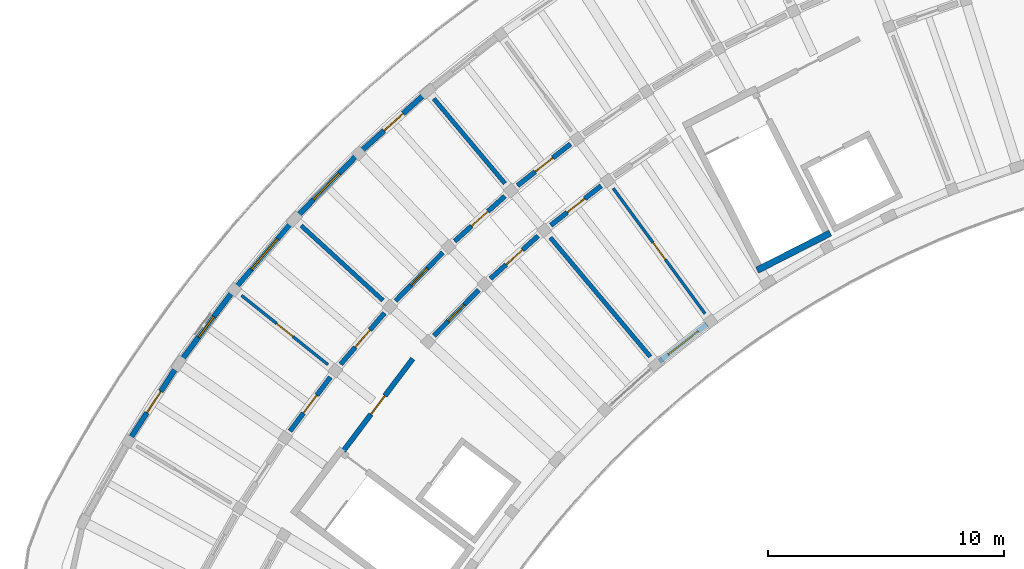
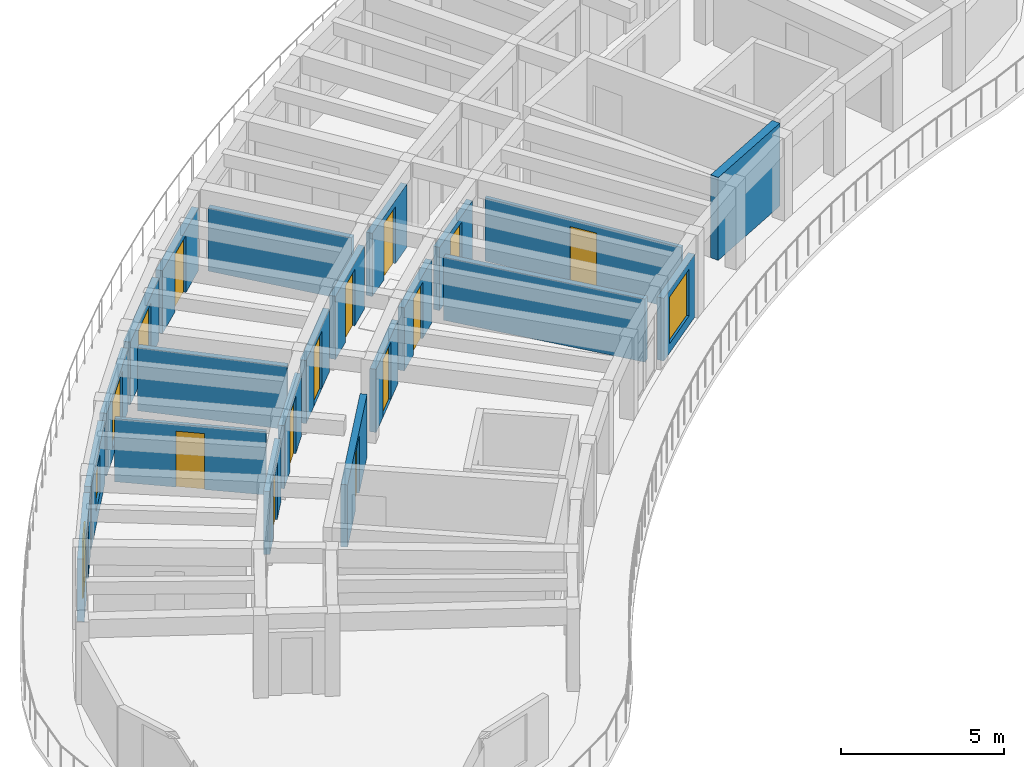
# One storey, part 5 of 9: 21 walls, 13 doors, 4 windows, 17 openings.
"""IFC4 building model written with IfcOpenShell, lengths in metres."""

from ifc_helpers import new_model, si_unit, direction, frame, frame_2d, origin, place, context, subcontext, project, spatial, rectangle, extrude, material, layer, layer_set, type_object, element, fill, save


model = new_model("IFC4")

# Units and contexts
model_context = context("Model", 3, precision=1e-05, world=origin(), true_north=direction((0.0, 1.0)))
body_context = subcontext(model_context, "Body", "Model", "MODEL_VIEW")
ifc_project = project(units=[si_unit("LENGTHUNIT", "METRE"), si_unit("AREAUNIT", "SQUARE_METRE"), si_unit("VOLUMEUNIT", "CUBIC_METRE"), si_unit("PLANEANGLEUNIT", "RADIAN"), si_unit("MASSUNIT", "GRAM", prefix="KILO")], contexts=[model_context])

# Site, building, storey
site_placement = place(None, origin())
site = spatial("IfcSite", under=ifc_project, at=site_placement, CompositionType="ELEMENT")
building_placement = place(site_placement, origin())
building = spatial("IfcBuilding", under=site, at=building_placement, Name="Tanwirah Colonnade Gardens", CompositionType="ELEMENT")
storey_placement = place(building_placement, frame((0.0, 0.0, 49.159912109375)))
storey = spatial("IfcBuildingStorey", under=building, at=storey_placement, Name="L14", CompositionType="ELEMENT", Elevation=49.159912109375)

# Wall, opening, window
ifc_material_1 = material(Name="Limestone architectural precast concrete C40/50", Category="masonry")
ifc_layer_1 = layer(ifc_material_1, 0.22509765625)
ifc_layer_set_1 = layer_set([ifc_layer_1], Name="Limestone architectural precast concrete C40/50")
wall_type_1 = type_object("IfcWallType", Name="EW-PC225", PredefinedType="SOLIDWALL", material=ifc_layer_set_1)
wall_1_placement = place(storey_placement, frame((38.576416015625, 95.935791015625, 0.0), z_axis=(0.0, 0.0, 1.0), x_axis=(-0.786839825132, -0.617157264874, 0.0)))
wall_1 = element("IfcWall", 1, at=wall_1_placement, inside=storey, type_object=wall_type_1, Name="Block A L14 IN Precast Facade Wall 8", PredefinedType="SOLIDWALL", context=body_context, shape_type="SweptSolid", body=[
    extrude(rectangle(XDim=2.5654296875, YDim=0.22509765625, at=frame_2d((1.28271484375, 0.0))), origin(), (0.0, 0.0, 1.0), 2.35498046875),
])
opening_1_placement = place(wall_1_placement, frame((0.482666015625, 0.0, 0.35009765625)))
opening_1 = element("IfcOpeningElement", 2, at=opening_1_placement, cuts=wall_1, Name="Opening WIN-T10", PredefinedType="OPENING", context=body_context, shape_type="SweptSolid", body=[
    extrude(rectangle(XDim=1.60009765625, YDim=1.75, at=frame_2d((0.800048828125, 0.875))), frame((0.0, 0.12255859375, 0.0), z_axis=(0.0, -1.0, 0.0), x_axis=(1.0, 0.0, 0.0)), (0.0, 0.0, 1.0), 0.2451171875),
])
ifc_material_2 = material(Name="Thermally broken bronze aluminium and solar low-E double glazing", Category="aluminium")
window_type_1 = type_object("IfcWindowType", Name="WIN-T10", PartitioningType="DOUBLE_PANEL_VERTICAL", PredefinedType="WINDOW", material=ifc_material_2)
window_1_placement = place(opening_1_placement, origin())
window_1 = element("IfcWindow", 3, at=window_1_placement, inside=storey, type_object=window_type_1, Name="Facade window A-L14-IN-08", OverallHeight=1.75, OverallWidth=1.60009765625, PartitioningType="SINGLE_PANEL", PredefinedType="WINDOW", context=body_context, shape_type="SweptSolid", body=[
    extrude(rectangle(XDim=1.60009765625, YDim=1.75, at=frame_2d((0.800048828125, 0.875))), frame((0.0, 0.030029296875, 0.0), z_axis=(0.0, -1.0, 0.0), x_axis=(1.0, 0.0, 0.0)), (0.0, 0.0, 1.0), 0.06005859375),
])
fill(opening_1, window_1)

# Wall, opening, door
wall_2_placement = place(storey_placement, frame((26.59912109375, 105.707763671875, 0.0), z_axis=(0.0, 0.0, 1.0), x_axis=(-0.744428403578, -0.667702292902, 0.0)))
wall_2 = element("IfcWall", 4, at=wall_2_placement, inside=storey, type_object=wall_type_1, Name="Block A L14 OUT Precast Facade Wall 9", PredefinedType="SOLIDWALL", context=body_context, shape_type="SweptSolid", body=[
    extrude(rectangle(XDim=3.560546875, YDim=0.22509765625, at=frame_2d((1.7802734375, 0.0))), origin(), (0.0, 0.0, 1.0), 2.35498046875),
])
opening_2_placement = place(wall_2_placement, frame((1.240478515625, 0.0, 0.0)))
opening_2 = element("IfcOpeningElement", 5, at=opening_2_placement, cuts=wall_2, Name="Opening L14-ED066", PredefinedType="OPENING", context=body_context, shape_type="SweptSolid", body=[
    extrude(rectangle(XDim=1.080078125, YDim=2.14990234375, at=frame_2d((0.5400390625, 1.074951171875))), frame((0.0, 0.12255859375, 0.0), z_axis=(0.0, -1.0, 0.0), x_axis=(1.0, 0.0, 0.0)), (0.0, 0.0, 1.0), 0.2451171875),
])
ifc_material_3 = material(Name="Bronze aluminium glazed balcony door", Category="aluminium")
door_type_1 = type_object("IfcDoorType", Name="ED-BAL108", OperationType="NOTDEFINED", PredefinedType="DOOR", material=ifc_material_3)
door_1_placement = place(opening_2_placement, origin())
door_1 = element("IfcDoor", 6, at=door_1_placement, inside=storey, type_object=door_type_1, Name="Balcony glazed door L14-ED066", OperationType="SINGLE_SWING_RIGHT", OverallHeight=2.14990234375, OverallWidth=1.080078125, PredefinedType="DOOR", context=body_context, shape_type="SweptSolid", body=[
    extrude(rectangle(XDim=1.080078125, YDim=2.14990234375, at=frame_2d((0.5400390625, 1.074951171875))), frame((0.0, 0.02490234375, 0.0), z_axis=(0.0, -1.0, 0.0), x_axis=(1.0, 0.0, 0.0)), (0.0, 0.0, 1.0), 0.050048828125),
])
fill(opening_2, door_1)

# Wall, opening, window
wall_3_placement = place(storey_placement, frame((23.65966796875, 103.0537109375, 0.0), z_axis=(0.0, 0.0, 1.0), x_axis=(-0.698830915019, -0.715286902029, 0.0)))
wall_3 = element("IfcWall", 7, at=wall_3_placement, inside=storey, type_object=wall_type_1, Name="Block A L14 OUT Precast Facade Wall 10", PredefinedType="SOLIDWALL", context=body_context, shape_type="SweptSolid", body=[
    extrude(rectangle(XDim=3.560546875, YDim=0.22509765625, at=frame_2d((1.7802734375, 0.0))), origin(), (0.0, 0.0, 1.0), 2.35498046875),
])
opening_3_placement = place(wall_3_placement, frame((1.00537109375, 0.0, 0.35009765625)))
opening_3 = element("IfcOpeningElement", 8, at=opening_3_placement, cuts=wall_3, Name="Opening WIN-T09", PredefinedType="OPENING", context=body_context, shape_type="SweptSolid", body=[
    extrude(rectangle(XDim=1.550048828125, YDim=1.75, at=frame_2d((0.77490234375, 0.875))), frame((0.0, 0.12255859375, 0.0), z_axis=(0.0, -1.0, 0.0), x_axis=(1.0, 0.0, 0.0)), (0.0, 0.0, 1.0), 0.2451171875),
])
window_type_2 = type_object("IfcWindowType", Name="WIN-T09", PartitioningType="DOUBLE_PANEL_VERTICAL", PredefinedType="WINDOW", material=ifc_material_2)
window_2_placement = place(opening_3_placement, origin())
window_2 = element("IfcWindow", 9, at=window_2_placement, inside=storey, type_object=window_type_2, Name="Facade window A-L14-OUT-10", OverallHeight=1.75, OverallWidth=1.550048828125, PartitioningType="SINGLE_PANEL", PredefinedType="WINDOW", context=body_context, shape_type="SweptSolid", body=[
    extrude(rectangle(XDim=1.550048828125, YDim=1.75, at=frame_2d((0.77490234375, 0.875))), frame((0.0, 0.030029296875, 0.0), z_axis=(0.0, -1.0, 0.0), x_axis=(1.0, 0.0, 0.0)), (0.0, 0.0, 1.0), 0.06005859375),
])
fill(opening_3, window_2)

wall_4_placement = place(storey_placement, frame((20.948974609375, 100.263427734375, 0.0), z_axis=(0.0, 0.0, 1.0), x_axis=(-0.650198292739, -0.759764555714, 0.0)))
wall_4 = element("IfcWall", 10, at=wall_4_placement, inside=storey, type_object=wall_type_1, Name="Block A L14 OUT Precast Facade Wall 11", PredefinedType="SOLIDWALL", context=body_context, shape_type="SweptSolid", body=[
    extrude(rectangle(XDim=3.560791015625, YDim=0.22509765625, at=frame_2d((1.7802734375, 0.0))), origin(), (0.0, 0.0, 1.0), 2.35498046875),
])
opening_4_placement = place(wall_4_placement, frame((0.930419921875, 0.0, 0.35009765625)))
opening_4 = element("IfcOpeningElement", 11, at=opening_4_placement, cuts=wall_4, Name="Opening WIN-T12", PredefinedType="OPENING", context=body_context, shape_type="SweptSolid", body=[
    extrude(rectangle(XDim=1.699951171875, YDim=1.800048828125, at=frame_2d((0.85009765625, 0.89990234375))), frame((0.0, 0.12255859375, 0.0), z_axis=(0.0, -1.0, 0.0), x_axis=(1.0, 0.0, 0.0)), (0.0, 0.0, 1.0), 0.2451171875),
])
window_type_3 = type_object("IfcWindowType", Name="WIN-T12", PartitioningType="TRIPLE_PANEL_VERTICAL", PredefinedType="WINDOW", material=ifc_material_2)
window_3_placement = place(opening_4_placement, origin())
window_3 = element("IfcWindow", 12, at=window_3_placement, inside=storey, type_object=window_type_3, Name="Facade window A-L14-OUT-11", OverallHeight=1.800048828125, OverallWidth=1.699951171875, PartitioningType="SINGLE_PANEL", PredefinedType="WINDOW", context=body_context, shape_type="SweptSolid", body=[
    extrude(rectangle(XDim=1.699951171875, YDim=1.800048828125, at=frame_2d((0.85009765625, 0.89990234375))), frame((0.0, 0.030029296875, 0.0), z_axis=(0.0, -1.0, 0.0), x_axis=(1.0, 0.0, 0.0)), (0.0, 0.0, 1.0), 0.06005859375),
])
fill(opening_4, window_3)

wall_5_placement = place(storey_placement, frame((18.384033203125, 97.245849609375, 0.0), z_axis=(0.0, 0.0, 1.0), x_axis=(-0.598737598815, -0.800945246422, 0.0)))
wall_5 = element("IfcWall", 13, at=wall_5_placement, inside=storey, type_object=wall_type_1, Name="Block A L14 OUT Precast Facade Wall 12", PredefinedType="SOLIDWALL", context=body_context, shape_type="SweptSolid", body=[
    extrude(rectangle(XDim=3.560546875, YDim=0.22509765625, at=frame_2d((1.7802734375, 0.0))), origin(), (0.0, 0.0, 1.0), 2.35498046875),
])
opening_5_placement = place(wall_5_placement, frame((1.240234375, 0.0, 0.550048828125)))
opening_5 = element("IfcOpeningElement", 14, at=opening_5_placement, cuts=wall_5, Name="Opening WIN-T15", PredefinedType="OPENING", context=body_context, shape_type="SweptSolid", body=[
    extrude(rectangle(XDim=1.080078125, YDim=1.449951171875, at=frame_2d((0.5400390625, 0.72509765625))), frame((0.0, 0.12255859375, 0.0), z_axis=(0.0, -1.0, 0.0), x_axis=(1.0, 0.0, 0.0)), (0.0, 0.0, 1.0), 0.2451171875),
])
window_type_4 = type_object("IfcWindowType", Name="WIN-T15", PartitioningType="SINGLE_PANEL", PredefinedType="WINDOW", material=ifc_material_2)
window_4_placement = place(opening_5_placement, origin())
window_4 = element("IfcWindow", 15, at=window_4_placement, inside=storey, type_object=window_type_4, Name="Facade window A-L14-OUT-12", OverallHeight=1.449951171875, OverallWidth=1.080078125, PartitioningType="SINGLE_PANEL", PredefinedType="WINDOW", context=body_context, shape_type="SweptSolid", body=[
    extrude(rectangle(XDim=1.080078125, YDim=1.449951171875, at=frame_2d((0.5400390625, 0.72509765625))), frame((0.0, 0.030029296875, 0.0), z_axis=(0.0, -1.0, 0.0), x_axis=(1.0, 0.0, 0.0)), (0.0, 0.0, 1.0), 0.06005859375),
])
fill(opening_5, window_4)

# Wall, opening, door
wall_6_placement = place(storey_placement, frame((16.0634765625, 94.12353515625, 0.0), z_axis=(0.0, 0.0, 1.0), x_axis=(-0.544612332693, -0.838687908032, 0.0)))
wall_6 = element("IfcWall", 16, at=wall_6_placement, inside=storey, type_object=wall_type_1, Name="Block A L14 OUT Precast Facade Wall 13", PredefinedType="SOLIDWALL", context=body_context, shape_type="SweptSolid", body=[
    extrude(rectangle(XDim=3.560791015625, YDim=0.22509765625, at=frame_2d((1.7802734375, 0.0))), origin(), (0.0, 0.0, 1.0), 2.35498046875),
])
opening_6_placement = place(wall_6_placement, frame((1.240234375, 0.0, 0.0)))
opening_6 = element("IfcOpeningElement", 17, at=opening_6_placement, cuts=wall_6, Name="Opening L14-ED067", PredefinedType="OPENING", context=body_context, shape_type="SweptSolid", body=[
    extrude(rectangle(XDim=1.080078125, YDim=2.14990234375, at=frame_2d((0.5400390625, 1.074951171875))), frame((0.0, 0.12255859375, 0.0), z_axis=(0.0, -1.0, 0.0), x_axis=(1.0, 0.0, 0.0)), (0.0, 0.0, 1.0), 0.2451171875),
])
door_2_placement = place(opening_6_placement, origin())
door_2 = element("IfcDoor", 18, at=door_2_placement, inside=storey, type_object=door_type_1, Name="Balcony glazed door L14-ED067", OperationType="SINGLE_SWING_RIGHT", OverallHeight=2.14990234375, OverallWidth=1.080078125, PredefinedType="DOOR", context=body_context, shape_type="SweptSolid", body=[
    extrude(rectangle(XDim=1.080078125, YDim=2.14990234375, at=frame_2d((0.5400390625, 1.074951171875))), frame((0.0, 0.02490234375, 0.0), z_axis=(0.0, -1.0, 0.0), x_axis=(1.0, 0.0, 0.0)), (0.0, 0.0, 1.0), 0.050048828125),
])
fill(opening_6, door_2)

ifc_material_4 = material(Name="Precast concrete C40/50", Category="concrete")
ifc_layer_2 = layer(ifc_material_4, 0.205078125)
ifc_layer_set_2 = layer_set([ifc_layer_2], Name="Precast concrete C40/50")
wall_type_2 = type_object("IfcWallType", Name="IW-CORR205", PredefinedType="PARTITIONING", material=ifc_layer_set_2)
wall_7_placement = place(storey_placement, frame((32.785400390625, 103.587890625, 0.0), z_axis=(0.0, 0.0, 1.0), x_axis=(-0.786806323554, -0.617199975061, 0.0)))
wall_7 = element("IfcWall", 19, at=wall_7_placement, inside=storey, type_object=wall_type_2, Name="Block A L14 OUT Corridor Wall 8", PredefinedType="PARTITIONING", context=body_context, shape_type="SweptSolid", body=[
    extrude(rectangle(XDim=2.863037109375, YDim=0.205078125, at=frame_2d((1.431640625, 0.0))), origin(), (0.0, 0.0, 1.0), 2.3701171875),
])
opening_7_placement = place(wall_7_placement, frame((0.95654296875, 0.0, 0.0)))
opening_7 = element("IfcOpeningElement", 20, at=opening_7_placement, cuts=wall_7, Name="Opening L14-AD777", PredefinedType="OPENING", context=body_context, shape_type="SweptSolid", body=[
    extrude(rectangle(XDim=0.949951171875, YDim=2.1298828125, at=frame_2d((0.47509765625, 1.06494140625))), frame((0.0, 0.112548828125, 0.0), z_axis=(0.0, -1.0, 0.0), x_axis=(1.0, 0.0, 0.0)), (0.0, 0.0, 1.0), 0.22509765625),
])
ifc_material_5 = material(Name="Solid oak fire-resisting apartment entrance door")
door_type_2 = type_object("IfcDoorType", Name="ID-FLT095", OperationType="NOTDEFINED", PredefinedType="DOOR", material=ifc_material_5)
door_3_placement = place(opening_7_placement, origin())
door_3 = element("IfcDoor", 21, at=door_3_placement, inside=storey, type_object=door_type_2, Name="Apartment corridor door L14-AD777", OperationType="SINGLE_SWING_LEFT", OverallHeight=2.1298828125, OverallWidth=0.949951171875, PredefinedType="DOOR", context=body_context, shape_type="SweptSolid", body=[
    extrude(rectangle(XDim=0.949951171875, YDim=2.1298828125, at=frame_2d((0.47509765625, 1.06494140625))), frame((0.0, 0.02490234375, 0.0), z_axis=(0.0, -1.0, 0.0), x_axis=(1.0, 0.0, 0.0)), (0.0, 0.0, 1.0), 0.050048828125),
])
fill(opening_7, door_3)

wall_8_placement = place(storey_placement, frame((34.08544921875, 101.81298828125, 0.0), z_axis=(0.0, 0.0, 1.0), x_axis=(-0.786835457019, -0.617162833924, 0.0)))
wall_8 = element("IfcWall", 22, at=wall_8_placement, inside=storey, type_object=wall_type_2, Name="Block A L14 IN Corridor Wall 8", PredefinedType="PARTITIONING", context=body_context, shape_type="SweptSolid", body=[
    extrude(rectangle(XDim=2.718017578125, YDim=0.205078125, at=frame_2d((1.35888671875, 0.0))), origin(), (0.0, 0.0, 1.0), 2.3701171875),
])
opening_8_placement = place(wall_8_placement, frame((0.884033203125, 0.0, 0.0)))
opening_8 = element("IfcOpeningElement", 23, at=opening_8_placement, cuts=wall_8, Name="Opening L14-AD778", PredefinedType="OPENING", context=body_context, shape_type="SweptSolid", body=[
    extrude(rectangle(XDim=0.949951171875, YDim=2.1298828125, at=frame_2d((0.47509765625, 1.06494140625))), frame((0.0, 0.112548828125, 0.0), z_axis=(0.0, -1.0, 0.0), x_axis=(1.0, 0.0, 0.0)), (0.0, 0.0, 1.0), 0.22509765625),
])
door_4_placement = place(opening_8_placement, origin())
door_4 = element("IfcDoor", 24, at=door_4_placement, inside=storey, type_object=door_type_2, Name="Apartment corridor door L14-AD778", OperationType="SINGLE_SWING_RIGHT", OverallHeight=2.1298828125, OverallWidth=0.949951171875, PredefinedType="DOOR", context=body_context, shape_type="SweptSolid", body=[
    extrude(rectangle(XDim=0.949951171875, YDim=2.1298828125, at=frame_2d((0.47509765625, 1.06494140625))), frame((0.0, 0.02490234375, 0.0), z_axis=(0.0, -1.0, 0.0), x_axis=(1.0, 0.0, 0.0)), (0.0, 0.0, 1.0), 0.050048828125),
])
fill(opening_8, door_4)

wall_9_placement = place(storey_placement, frame((29.996826171875, 101.37109375, 0.0), z_axis=(0.0, 0.0, 1.0), x_axis=(-0.744433521088, -0.667696587291, 0.0)))
wall_9 = element("IfcWall", 25, at=wall_9_placement, inside=storey, type_object=wall_type_2, Name="Block A L14 OUT Corridor Wall 9", PredefinedType="PARTITIONING", context=body_context, shape_type="SweptSolid", body=[
    extrude(rectangle(XDim=2.86328125, YDim=0.205078125, at=frame_2d((1.431640625, 0.0))), origin(), (0.0, 0.0, 1.0), 2.3701171875),
])
opening_9_placement = place(wall_9_placement, frame((0.966552734375, 0.0, 0.0)))
opening_9 = element("IfcOpeningElement", 26, at=opening_9_placement, cuts=wall_9, Name="Opening L14-AD779", PredefinedType="OPENING", context=body_context, shape_type="SweptSolid", body=[
    extrude(rectangle(XDim=0.929931640625, YDim=2.1201171875, at=frame_2d((0.46484375, 1.06005859375))), frame((0.0, 0.112548828125, 0.0), z_axis=(0.0, -1.0, 0.0), x_axis=(1.0, 0.0, 0.0)), (0.0, 0.0, 1.0), 0.22509765625),
])
door_type_3 = type_object("IfcDoorType", Name="ID-FLT093", OperationType="NOTDEFINED", PredefinedType="DOOR", material=ifc_material_5)
door_5_placement = place(opening_9_placement, origin())
door_5 = element("IfcDoor", 27, at=door_5_placement, inside=storey, type_object=door_type_3, Name="Apartment corridor door L14-AD779", OperationType="SINGLE_SWING_RIGHT", OverallHeight=2.1201171875, OverallWidth=0.929931640625, PredefinedType="DOOR", context=body_context, shape_type="SweptSolid", body=[
    extrude(rectangle(XDim=0.929931640625, YDim=2.1201171875, at=frame_2d((0.46484375, 1.06005859375))), frame((0.0, 0.02490234375, 0.0), z_axis=(0.0, -1.0, 0.0), x_axis=(1.0, 0.0, 0.0)), (0.0, 0.0, 1.0), 0.050048828125),
])
fill(opening_9, door_5)

wall_10_placement = place(storey_placement, frame((31.410888671875, 99.685791015625, 0.0), z_axis=(0.0, 0.0, 1.0), x_axis=(-0.744418559135, -0.667713268413, 0.0)))
wall_10 = element("IfcWall", 28, at=wall_10_placement, inside=storey, type_object=wall_type_2, Name="Block A L14 IN Corridor Wall 9", PredefinedType="PARTITIONING", context=body_context, shape_type="SweptSolid", body=[
    extrude(rectangle(XDim=2.71826171875, YDim=0.205078125, at=frame_2d((1.359130859375, 0.0))), origin(), (0.0, 0.0, 1.0), 2.3701171875),
])
opening_10_placement = place(wall_10_placement, frame((0.89404296875, 0.0, 0.0)))
opening_10 = element("IfcOpeningElement", 29, at=opening_10_placement, cuts=wall_10, Name="Opening L14-AD780", PredefinedType="OPENING", context=body_context, shape_type="SweptSolid", body=[
    extrude(rectangle(XDim=0.929931640625, YDim=2.1201171875, at=frame_2d((0.46484375, 1.06005859375))), frame((0.0, 0.112548828125, 0.0), z_axis=(0.0, -1.0, 0.0), x_axis=(1.0, 0.0, 0.0)), (0.0, 0.0, 1.0), 0.22509765625),
])
door_6_placement = place(opening_10_placement, origin())
door_6 = element("IfcDoor", 30, at=door_6_placement, inside=storey, type_object=door_type_3, Name="Apartment corridor door L14-AD780", OperationType="SINGLE_SWING_LEFT", OverallHeight=2.1201171875, OverallWidth=0.929931640625, PredefinedType="DOOR", context=body_context, shape_type="SweptSolid", body=[
    extrude(rectangle(XDim=0.929931640625, YDim=2.1201171875, at=frame_2d((0.46484375, 1.06005859375))), frame((0.0, 0.02490234375, 0.0), z_axis=(0.0, -1.0, 0.0), x_axis=(1.0, 0.0, 0.0)), (0.0, 0.0, 1.0), 0.050048828125),
])
fill(opening_10, door_6)

wall_11_placement = place(storey_placement, frame((27.360107421875, 98.975341796875, 0.0), z_axis=(0.0, 0.0, 1.0), x_axis=(-0.698787219683, -0.715329589496, 0.0)))
wall_11 = element("IfcWall", 31, at=wall_11_placement, inside=storey, type_object=wall_type_2, Name="Block A L14 OUT Corridor Wall 10", PredefinedType="PARTITIONING", context=body_context, shape_type="SweptSolid", body=[
    extrude(rectangle(XDim=2.863037109375, YDim=0.205078125, at=frame_2d((1.431640625, 0.0))), origin(), (0.0, 0.0, 1.0), 2.3701171875),
])
opening_11_placement = place(wall_11_placement, frame((0.9365234375, 0.0, 0.0)))
opening_11 = element("IfcOpeningElement", 32, at=opening_11_placement, cuts=wall_11, Name="Opening L14-AD781", PredefinedType="OPENING", context=body_context, shape_type="SweptSolid", body=[
    extrude(rectangle(XDim=0.989990234375, YDim=2.159912109375, at=frame_2d((0.4951171875, 1.080078125))), frame((0.0, 0.112548828125, 0.0), z_axis=(0.0, -1.0, 0.0), x_axis=(1.0, 0.0, 0.0)), (0.0, 0.0, 1.0), 0.22509765625),
])
door_type_4 = type_object("IfcDoorType", Name="ID-FLT099", OperationType="NOTDEFINED", PredefinedType="DOOR", material=ifc_material_5)
door_7_placement = place(opening_11_placement, origin())
door_7 = element("IfcDoor", 33, at=door_7_placement, inside=storey, type_object=door_type_4, Name="Apartment corridor door L14-AD781", OperationType="SINGLE_SWING_LEFT", OverallHeight=2.159912109375, OverallWidth=0.989990234375, PredefinedType="DOOR", context=body_context, shape_type="SweptSolid", body=[
    extrude(rectangle(XDim=0.989990234375, YDim=2.159912109375, at=frame_2d((0.4951171875, 1.080078125))), frame((0.0, 0.02490234375, 0.0), z_axis=(0.0, -1.0, 0.0), x_axis=(1.0, 0.0, 0.0)), (0.0, 0.0, 1.0), 0.050048828125),
])
fill(opening_11, door_7)

wall_12_placement = place(storey_placement, frame((28.88232421875, 97.38671875, 0.0), z_axis=(0.0, 0.0, 1.0), x_axis=(-0.698840007829, -0.715278018296, 0.0)))
wall_12 = element("IfcWall", 34, at=wall_12_placement, inside=storey, type_object=wall_type_2, Name="Block A L14 IN Corridor Wall 10", PredefinedType="PARTITIONING", context=body_context, shape_type="SweptSolid", body=[
    extrude(rectangle(XDim=2.718017578125, YDim=0.205078125, at=frame_2d((1.35888671875, 0.0))), origin(), (0.0, 0.0, 1.0), 2.3701171875),
])
opening_12_placement = place(wall_12_placement, frame((0.864013671875, 0.0, 0.0)))
opening_12 = element("IfcOpeningElement", 35, at=opening_12_placement, cuts=wall_12, Name="Opening L14-AD782", PredefinedType="OPENING", context=body_context, shape_type="SweptSolid", body=[
    extrude(rectangle(XDim=0.989990234375, YDim=2.159912109375, at=frame_2d((0.4951171875, 1.080078125))), frame((0.0, 0.112548828125, 0.0), z_axis=(0.0, -1.0, 0.0), x_axis=(1.0, 0.0, 0.0)), (0.0, 0.0, 1.0), 0.22509765625),
])
door_8_placement = place(opening_12_placement, origin())
door_8 = element("IfcDoor", 36, at=door_8_placement, inside=storey, type_object=door_type_4, Name="Apartment corridor door L14-AD782", OperationType="SINGLE_SWING_RIGHT", OverallHeight=2.159912109375, OverallWidth=0.989990234375, PredefinedType="DOOR", context=body_context, shape_type="SweptSolid", body=[
    extrude(rectangle(XDim=0.989990234375, YDim=2.159912109375, at=frame_2d((0.4951171875, 1.080078125))), frame((0.0, 0.02490234375, 0.0), z_axis=(0.0, -1.0, 0.0), x_axis=(1.0, 0.0, 0.0)), (0.0, 0.0, 1.0), 0.050048828125),
])
fill(opening_12, door_8)

wall_13_placement = place(storey_placement, frame((24.88720703125, 96.4111328125, 0.0), z_axis=(0.0, 0.0, 1.0), x_axis=(-0.650194272684, -0.759767996015, 0.0)))
wall_13 = element("IfcWall", 37, at=wall_13_placement, inside=storey, type_object=wall_type_2, Name="Block A L14 OUT Corridor Wall 11", PredefinedType="PARTITIONING", context=body_context, shape_type="SweptSolid", body=[
    extrude(rectangle(XDim=2.863037109375, YDim=0.205078125, at=frame_2d((1.431640625, 0.0))), origin(), (0.0, 0.0, 1.0), 2.3701171875),
])
opening_13_placement = place(wall_13_placement, frame((0.946533203125, 0.0, 0.0)))
opening_13 = element("IfcOpeningElement", 38, at=opening_13_placement, cuts=wall_13, Name="Opening L14-AD783", PredefinedType="OPENING", context=body_context, shape_type="SweptSolid", body=[
    extrude(rectangle(XDim=0.969970703125, YDim=2.14990234375, at=frame_2d((0.48486328125, 1.074951171875))), frame((0.0, 0.112548828125, 0.0), z_axis=(0.0, -1.0, 0.0), x_axis=(1.0, 0.0, 0.0)), (0.0, 0.0, 1.0), 0.22509765625),
])
door_type_5 = type_object("IfcDoorType", Name="ID-FLT097", OperationType="NOTDEFINED", PredefinedType="DOOR", material=ifc_material_5)
door_9_placement = place(opening_13_placement, origin())
door_9 = element("IfcDoor", 39, at=door_9_placement, inside=storey, type_object=door_type_5, Name="Apartment corridor door L14-AD783", OperationType="SINGLE_SWING_RIGHT", OverallHeight=2.14990234375, OverallWidth=0.969970703125, PredefinedType="DOOR", context=body_context, shape_type="SweptSolid", body=[
    extrude(rectangle(XDim=0.969970703125, YDim=2.14990234375, at=frame_2d((0.48486328125, 1.074951171875))), frame((0.0, 0.02490234375, 0.0), z_axis=(0.0, -1.0, 0.0), x_axis=(1.0, 0.0, 0.0)), (0.0, 0.0, 1.0), 0.050048828125),
])
fill(opening_13, door_9)

wall_14_placement = place(storey_placement, frame((22.588623046875, 93.689453125, 0.0), z_axis=(0.0, 0.0, 1.0), x_axis=(-0.598757763243, -0.800930172335, 0.0)))
wall_14 = element("IfcWall", 40, at=wall_14_placement, inside=storey, type_object=wall_type_2, Name="Block A L14 OUT Corridor Wall 12", PredefinedType="PARTITIONING", context=body_context, shape_type="SweptSolid", body=[
    extrude(rectangle(XDim=2.86328125, YDim=0.205078125, at=frame_2d((1.431640625, 0.0))), origin(), (0.0, 0.0, 1.0), 2.3701171875),
])
opening_14_placement = place(wall_14_placement, frame((0.95654296875, 0.0, 0.0)))
opening_14 = element("IfcOpeningElement", 41, at=opening_14_placement, cuts=wall_14, Name="Opening L14-AD785", PredefinedType="OPENING", context=body_context, shape_type="SweptSolid", body=[
    extrude(rectangle(XDim=0.949951171875, YDim=2.1298828125, at=frame_2d((0.47509765625, 1.06494140625))), frame((0.0, 0.112548828125, 0.0), z_axis=(0.0, -1.0, 0.0), x_axis=(1.0, 0.0, 0.0)), (0.0, 0.0, 1.0), 0.22509765625),
])
door_10_placement = place(opening_14_placement, origin())
door_10 = element("IfcDoor", 42, at=door_10_placement, inside=storey, type_object=door_type_2, Name="Apartment corridor door L14-AD785", OperationType="SINGLE_SWING_LEFT", OverallHeight=2.1298828125, OverallWidth=0.949951171875, PredefinedType="DOOR", context=body_context, shape_type="SweptSolid", body=[
    extrude(rectangle(XDim=0.949951171875, YDim=2.1298828125, at=frame_2d((0.47509765625, 1.06494140625))), frame((0.0, 0.02490234375, 0.0), z_axis=(0.0, -1.0, 0.0), x_axis=(1.0, 0.0, 0.0)), (0.0, 0.0, 1.0), 0.050048828125),
])
fill(opening_14, door_10)

# Walls
ifc_layer_3 = layer(ifc_material_4, 0.18505859375)
ifc_layer_set_3 = layer_set([ifc_layer_3], Name="Precast concrete C40/50")
wall_type_3 = type_object("IfcWallType", Name="IW-DEM185", PredefinedType="PARTITIONING", material=ifc_layer_set_3)
wall_15_placement = place(storey_placement, frame((30.000244140625, 101.9111328125, 0.0), z_axis=(0.0, 0.0, 1.0), x_axis=(-0.642811926223, 0.766024038465, 0.0)))
element("IfcWall", 43, at=wall_15_placement, inside=storey, type_object=wall_type_3, Name="Block A L14 Radial Partition 8", PredefinedType="PARTITIONING", context=body_context, shape_type="SweptSolid", body=[
    extrude(rectangle(XDim=4.699951171875, YDim=0.18505859375, at=frame_2d((2.35009765625, 0.0))), origin(), (0.0, 0.0, 1.0), 2.3701171875),
])
wall_16_placement = place(storey_placement, frame((36.1708984375, 94.55712890625, 0.0), z_axis=(0.0, 0.0, 1.0), x_axis=(-0.642789470807, 0.766042881449, 0.0)))
element("IfcWall", 44, at=wall_16_placement, inside=storey, type_object=wall_type_3, Name="Block A L14 Inner Radial Partition 8", PredefinedType="PARTITIONING", context=body_context, shape_type="SweptSolid", body=[
    extrude(rectangle(XDim=6.60009765625, YDim=0.18505859375, at=frame_2d((3.300048828125, 0.0))), origin(), (0.0, 0.0, 1.0), 2.3701171875),
])
wall_17_placement = place(storey_placement, frame((24.819580078125, 96.947021484375, 0.0), z_axis=(0.0, 0.0, 1.0), x_axis=(-0.737934199263, 0.674872667663, 0.0)))
element("IfcWall", 45, at=wall_17_placement, inside=storey, type_object=wall_type_3, Name="Block A L14 Radial Partition 10", PredefinedType="PARTITIONING", context=body_context, shape_type="SweptSolid", body=[
    extrude(rectangle(XDim=4.699951171875, YDim=0.18505859375, at=frame_2d((2.35009765625, 0.0))), origin(), (0.0, 0.0, 1.0), 2.3701171875),
])

# Wall, opening, door
ifc_material_6 = material(Name="Autoclaved aerated masonry blockwork", Category="masonry")
ifc_layer_4 = layer(ifc_material_6, 0.219970703125)
ifc_layer_set_4 = layer_set([ifc_layer_4], Name="Autoclaved aerated masonry blockwork")
wall_type_4 = type_object("IfcWallType", Name="IW-FFL220", PredefinedType="PARTITIONING", material=ifc_layer_set_4)
wall_18_placement = place(storey_placement, frame((23.138916015625, 90.55517578125, 0.0), z_axis=(0.0, 0.0, 1.0), x_axis=(0.601792209296, 0.79865270101, 0.0)))
wall_18 = element("IfcWall", 46, at=wall_18_placement, inside=storey, type_object=wall_type_4, Name="CORE-A2 L14 Enclosed Lobby Fire Wall", PredefinedType="PARTITIONING", context=body_context, shape_type="SweptSolid", body=[
    extrude(rectangle(XDim=4.89990234375, YDim=0.219970703125, at=frame_2d((2.449951171875, 0.0))), origin(), (0.0, 0.0, 1.0), 2.340087890625),
])
opening_15_placement = place(wall_18_placement, frame((1.949951171875, 0.0, 0.0)))
opening_15 = element("IfcOpeningElement", 47, at=opening_15_placement, cuts=wall_18, Name="Opening L14-LD064", PredefinedType="OPENING", context=body_context, shape_type="SweptSolid", body=[
    extrude(rectangle(XDim=0.97998046875, YDim=2.139892578125, at=frame_2d((0.489990234375, 1.06982421875))), frame((0.0, 0.119873046875, 0.0), z_axis=(0.0, -1.0, 0.0), x_axis=(1.0, 0.0, 0.0)), (0.0, 0.0, 1.0), 0.239990234375),
])
ifc_material_7 = material(Name="Acoustic fire-resisting lobby door")
door_type_6 = type_object("IfcDoorType", Name="ID-FFL098", OperationType="NOTDEFINED", PredefinedType="DOOR", material=ifc_material_7)
door_11_placement = place(opening_15_placement, origin())
door_11 = element("IfcDoor", 48, at=door_11_placement, inside=storey, type_object=door_type_6, Name="CORE-A2 L14 Lobby Fire Door L14-LD064", OperationType="SINGLE_SWING_LEFT", OverallHeight=2.139892578125, OverallWidth=0.97998046875, PredefinedType="DOOR", context=body_context, shape_type="SweptSolid", body=[
    extrude(rectangle(XDim=0.97998046875, YDim=2.139892578125, at=frame_2d((0.489990234375, 1.06982421875))), frame((0.0, 0.02490234375, 0.0), z_axis=(0.0, -1.0, 0.0), x_axis=(1.0, 0.0, 0.0)), (0.0, 0.0, 1.0), 0.050048828125),
])
fill(opening_15, door_11)

ifc_material_8 = material(Name="Moisture-resistant gypsum stud partition")
ifc_layer_5 = layer(ifc_material_8, 0.125)
ifc_layer_set_5 = layer_set([ifc_layer_5], Name="Moisture-resistant gypsum stud partition")
wall_type_5 = type_object("IfcWallType", Name="IW-INT125", PredefinedType="PARTITIONING", material=ifc_layer_set_5)
wall_19_placement = place(storey_placement, frame((38.497314453125, 96.3818359375, 0.0), z_axis=(0.0, 0.0, 1.0), x_axis=(-0.590924179316, 0.806727100263, 0.0)))
wall_19 = element("IfcWall", 49, at=wall_19_placement, inside=storey, type_object=wall_type_5, Name="Block A L14 Inner Radial Partition 7", PredefinedType="PARTITIONING", context=body_context, shape_type="SweptSolid", body=[
    extrude(rectangle(XDim=6.60009765625, YDim=0.125, at=frame_2d((3.300048828125, 0.0))), origin(), (0.0, 0.0, 1.0), 2.3701171875),
])
opening_16_placement = place(wall_19_placement, frame((2.85498046875, 0.0, 0.0)))
opening_16 = element("IfcOpeningElement", 50, at=opening_16_placement, cuts=wall_19, Name="Opening L14-RD776", PredefinedType="OPENING", context=body_context, shape_type="SweptSolid", body=[
    extrude(rectangle(XDim=0.889892578125, YDim=2.10009765625, at=frame_2d((0.44482421875, 1.050048828125))), frame((0.0, 0.072509765625, 0.0), z_axis=(0.0, -1.0, 0.0), x_axis=(1.0, 0.0, 0.0)), (0.0, 0.0, 1.0), 0.14501953125),
])
ifc_material_9 = material(Name="Painted hardwood bedroom door", Category="wood")
door_type_7 = type_object("IfcDoorType", Name="ID-RM089", OperationType="NOTDEFINED", PredefinedType="DOOR", material=ifc_material_9)
door_12_placement = place(opening_16_placement, origin())
door_12 = element("IfcDoor", 51, at=door_12_placement, inside=storey, type_object=door_type_7, Name="Internal apartment door L14-RD776", OperationType="SINGLE_SWING_LEFT", OverallHeight=2.10009765625, OverallWidth=0.889892578125, PredefinedType="DOOR", context=body_context, shape_type="SweptSolid", body=[
    extrude(rectangle(XDim=0.889892578125, YDim=2.10009765625, at=frame_2d((0.44482421875, 1.050048828125))), frame((0.0, 0.02490234375, 0.0), z_axis=(0.0, -1.0, 0.0), x_axis=(1.0, 0.0, 0.0)), (0.0, 0.0, 1.0), 0.050048828125),
])
fill(opening_16, door_12)

wall_20_placement = place(storey_placement, frame((22.48583984375, 94.2197265625, 0.0), z_axis=(0.0, 0.0, 1.0), x_axis=(-0.780807994362, 0.624771058821, 0.0)))
wall_20 = element("IfcWall", 52, at=wall_20_placement, inside=storey, type_object=wall_type_5, Name="Block A L14 Radial Partition 11", PredefinedType="PARTITIONING", context=body_context, shape_type="SweptSolid", body=[
    extrude(rectangle(XDim=4.7001953125, YDim=0.125, at=frame_2d((2.35009765625, 0.0))), origin(), (0.0, 0.0, 1.0), 2.3701171875),
])
opening_17_placement = place(wall_20_placement, frame((1.905029296875, 0.0, 0.0)))
opening_17 = element("IfcOpeningElement", 53, at=opening_17_placement, cuts=wall_20, Name="Opening L14-RD784", PredefinedType="OPENING", context=body_context, shape_type="SweptSolid", body=[
    extrude(rectangle(XDim=0.889892578125, YDim=2.10009765625, at=frame_2d((0.44482421875, 1.050048828125))), frame((0.0, 0.072509765625, 0.0), z_axis=(0.0, -1.0, 0.0), x_axis=(1.0, 0.0, 0.0)), (0.0, 0.0, 1.0), 0.14501953125),
])
door_13_placement = place(opening_17_placement, origin())
door_13 = element("IfcDoor", 54, at=door_13_placement, inside=storey, type_object=door_type_7, Name="Internal apartment door L14-RD784", OperationType="SINGLE_SWING_RIGHT", OverallHeight=2.10009765625, OverallWidth=0.889892578125, PredefinedType="DOOR", context=body_context, shape_type="SweptSolid", body=[
    extrude(rectangle(XDim=0.889892578125, YDim=2.10009765625, at=frame_2d((0.44482421875, 1.050048828125))), frame((0.0, 0.02490234375, 0.0), z_axis=(0.0, -1.0, 0.0), x_axis=(1.0, 0.0, 0.0)), (0.0, 0.0, 1.0), 0.050048828125),
])
fill(opening_17, door_13)

# Wall
ifc_material_10 = material(Name="Concrete C45/55", Category="concrete")
ifc_layer_6 = layer(ifc_material_10, 0.280029296875)
ifc_layer_set_6 = layer_set([ifc_layer_6], Name="Concrete C45/55")
wall_type_6 = type_object("IfcWallType", Name="SW-CORE280", PredefinedType="SHEAR", material=ifc_layer_set_6)
wall_21_placement = place(storey_placement, frame((40.708740234375, 98.2265625, 0.0), z_axis=(0.0, 0.0, 1.0), x_axis=(0.891005763861, 0.453991991964, 0.0)))
element("IfcWall", 55, at=wall_21_placement, inside=storey, type_object=wall_type_6, Name="CORE-A1 L14 Stair Shaft Shear Wall FAR", PredefinedType="SHEAR", context=body_context, shape_type="SweptSolid", body=[
    extrude(rectangle(XDim=3.47998046875, YDim=0.280029296875, at=frame_2d((1.739990234375, 0.0))), origin(), (0.0, 0.0, 1.0), 3.110107421875),
])

save(model, "model.ifc")
